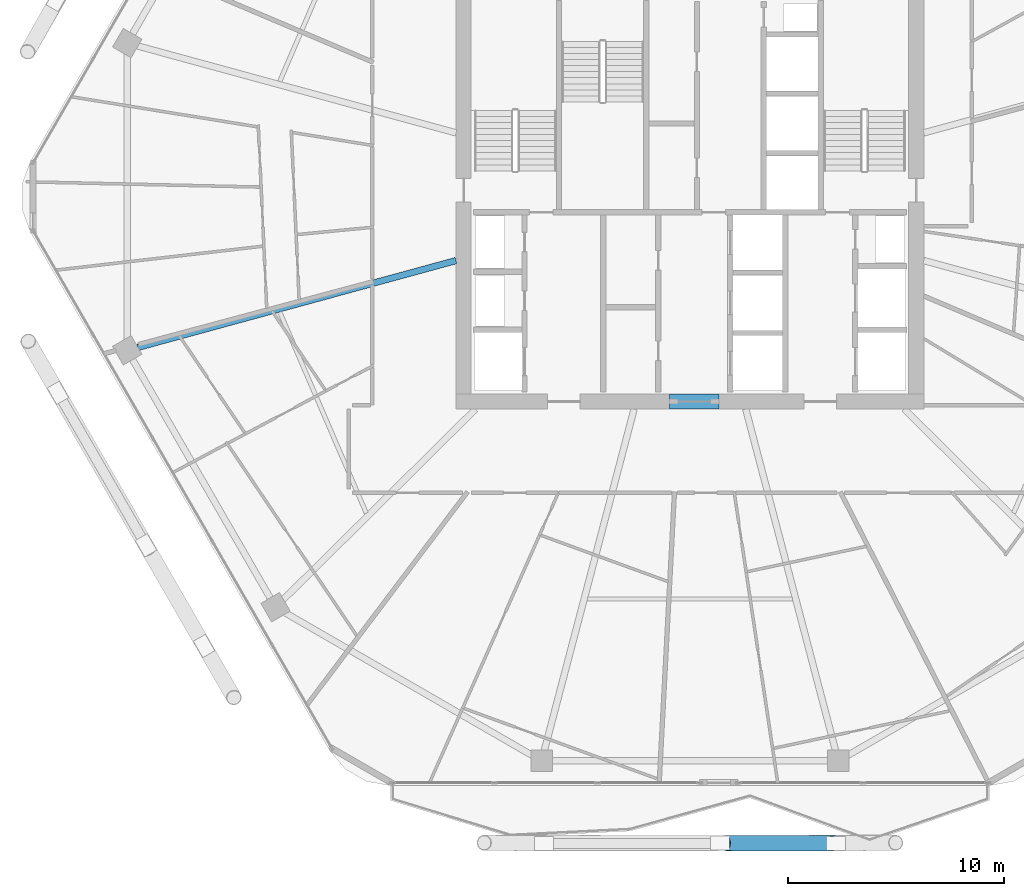
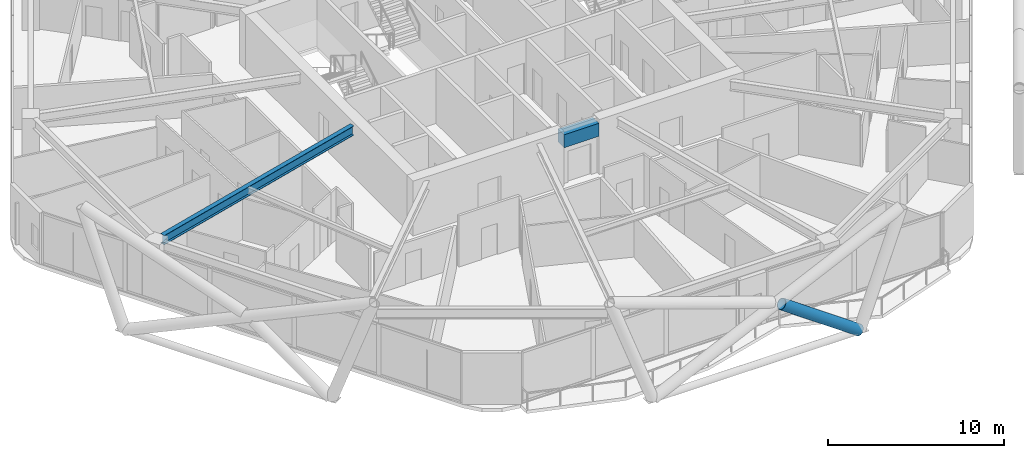
# One storey, part 7 of 29: 2 beams, 1 member.
"""IFC4 building model written with IfcOpenShell, lengths in metres."""

from ifc_helpers import new_model, si_unit, direction, frame, origin, origin_2d, place, context, subcontext, project, spatial, rectangle, hollow_circle, i_section, extrude, material, material_profile, profile_set, type_object, element, save


model = new_model("IFC4")

# Units and contexts
model_context = context("Model", 3, precision=1e-05, world=origin(), true_north=direction((0.0, 1.0)))
body_context = subcontext(model_context, "Body", "Model", "MODEL_VIEW")
ifc_project = project(units=[si_unit("LENGTHUNIT", "METRE"), si_unit("AREAUNIT", "SQUARE_METRE"), si_unit("VOLUMEUNIT", "CUBIC_METRE"), si_unit("PLANEANGLEUNIT", "RADIAN"), si_unit("MASSUNIT", "GRAM", prefix="KILO")], contexts=[model_context])

# Site, building, storey
site_placement = place(None, origin())
site = spatial("IfcSite", under=ifc_project, at=site_placement, CompositionType="ELEMENT")
building_placement = place(site_placement, origin())
building = spatial("IfcBuilding", under=site, at=building_placement, Name="Zuhravey Tower", CompositionType="ELEMENT")
storey_placement = place(building_placement, frame((0.0, 0.0, 184.60009765625)))
storey = spatial("IfcBuildingStorey", under=building, at=storey_placement, Name="L46", CompositionType="ELEMENT", Elevation=184.60009765625)

# Beam
ifc_material_1 = material(Name="Concrete C60/75", Category="concrete")
ifc_material_profile_1 = material_profile(ifc_material_1, rectangle(XDim=0.699951171875, YDim=0.89990234375, at=origin_2d()), Name="RC-700x900")
ifc_profile_set_1 = profile_set([ifc_material_profile_1], Name="Concrete C60/75")
beam_type_1 = type_object("IfcBeamType", Name="Core Coupling Beam RC700x900", PredefinedType="LINTEL", material=ifc_profile_set_1)
beam_1_placement = place(storey_placement, frame((35.052001953125, 22.5, 3.099853515625), z_axis=(1.0, 0.0, 0.0), x_axis=(0.0, 1.0, 0.0)))
element("IfcBeam", 1, at=beam_1_placement, inside=storey, type_object=beam_type_1, Name="L46 CB1 BM-L46-CB-S", PredefinedType="LINTEL", context=body_context, shape_type="SweptSolid", body=[
    extrude(rectangle(XDim=0.699951171875, YDim=0.89990234375, at=origin_2d()), origin(), (0.0, 0.0, 1.0), 2.2958984375),
])

# Member
ifc_material_2 = material(Name="Steel SM460", Category="steel")
ifc_material_profile_2 = material_profile(ifc_material_2, hollow_circle(Radius=0.355712890625, WallThickness=0.031982421875, at=origin_2d()), Name="CHS-711.2x32")
ifc_profile_set_2 = profile_set([ifc_material_profile_2], Name="Steel SM460")
member_type = type_object("IfcMemberType", Name="Exoskeleton Zone 2 Diagrid CHS711x32", PredefinedType="BRACE", material=ifc_profile_set_2)
member_placement = place(storey_placement, frame((42.7421875, 1.9970703125, -0.436767578125), z_axis=(-0.81749967084, 0.002281980023, 0.575924544314), x_axis=(-0.00279140312, -0.999996104027, 0.0)))
element("IfcMember", 2, at=member_placement, inside=storey, type_object=member_type, Name="L46 Face 5 Split Diagrid Brace 3A", PredefinedType="BRACE", context=body_context, shape_type="SweptSolid", body=[
    extrude(hollow_circle(Radius=0.355712890625, WallThickness=0.031982421875, at=origin_2d()), origin(), (0.0, 0.0, 1.0), 6.205322265625),
])

# Beam
ifc_material_3 = material(Name="Steel SM355", Category="steel")
ifc_material_profile_3 = material_profile(ifc_material_3, i_section(OverallWidth=0.300048828125, OverallDepth=0.64990234375, WebThickness=0.012939453125, FlangeThickness=0.02197265625, at=origin_2d()), Name="H-650x300x13x22")
ifc_profile_set_3 = profile_set([ifc_material_profile_3], Name="Steel SM355")
beam_type_2 = type_object("IfcBeamType", Name="Radial Primary Girder H650x300", PredefinedType="BEAM", material=ifc_profile_set_3)
beam_2_placement = place(storey_placement, frame((25.14697265625, 29.03759765625, 3.224853515625), z_axis=(-0.964701601771, -0.263345437667, 0.0), x_axis=(0.263345437667, -0.964701601771, 0.0)))
element("IfcBeam", 3, at=beam_2_placement, inside=storey, type_object=beam_type_2, Name="L46 RG2 BM-L46-RAD-07", PredefinedType="BEAM", context=body_context, shape_type="SweptSolid", body=[
    extrude(i_section(OverallWidth=0.300048828125, OverallDepth=0.64990234375, WebThickness=0.012939453125, FlangeThickness=0.02197265625, at=origin_2d()), origin(), (0.0, 0.0, 1.0), 15.309814453125),
])

save(model, "model.ifc")
